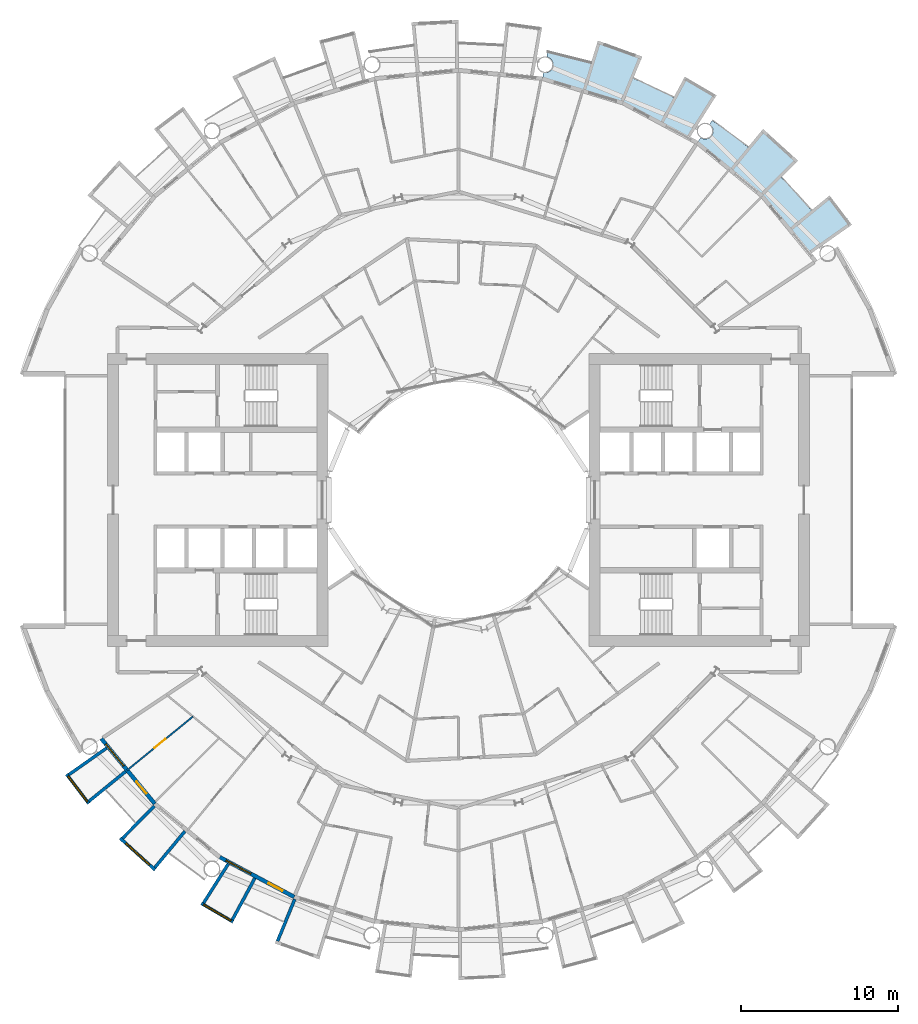
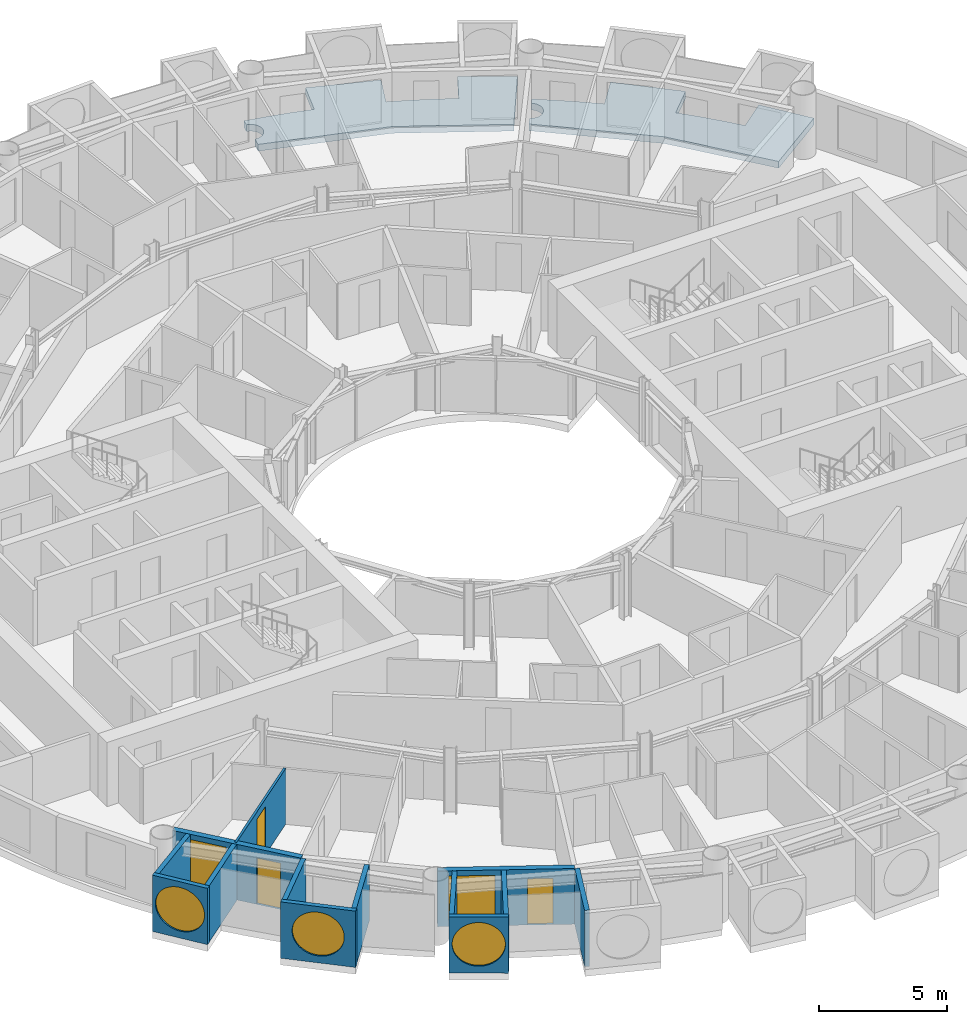
# One storey, part 12 of 25: 13 walls, 5 windows, 3 doors, 2 slabs, 8 openings.
"""IFC4 building model written with IfcOpenShell, lengths in metres."""

from ifc_helpers import new_model, si_unit, direction, frame, frame_2d, origin, place, context, subcontext, project, spatial, polyline, rectangle, circle, outline, extrude, material, layer, layer_set, type_object, element, fill, save


model = new_model("IFC4")

# Units and contexts
model_context = context("Model", 3, precision=1e-05, world=origin(), true_north=direction((0.0, 1.0)))
body_context = subcontext(model_context, "Body", "Model", "MODEL_VIEW")
ifc_project = project(units=[si_unit("LENGTHUNIT", "METRE"), si_unit("AREAUNIT", "SQUARE_METRE"), si_unit("VOLUMEUNIT", "CUBIC_METRE"), si_unit("PLANEANGLEUNIT", "RADIAN"), si_unit("MASSUNIT", "GRAM", prefix="KILO")], contexts=[model_context])

# Site, building, storey
site_placement = place(None, origin())
site = spatial("IfcSite", under=ifc_project, at=site_placement, CompositionType="ELEMENT")
building_placement = place(site_placement, origin())
building = spatial("IfcBuilding", under=site, at=building_placement, Name="Maasbend Ring Residences", CompositionType="ELEMENT")
storey_placement = place(building_placement, frame((0.0, 0.0, 94.10009765625)))
storey = spatial("IfcBuildingStorey", under=building, at=storey_placement, Name="L27", CompositionType="ELEMENT", Elevation=94.10009765625)

# Slabs
ifc_material_1 = material(Name="Concrete C40/50", Category="concrete")
ifc_layer_1 = layer(ifc_material_1, 0.199951171875)
ifc_layer_set_1 = layer_set([ifc_layer_1], Name="Concrete C40/50")
slab_type = type_object("IfcSlabType", Name="SL-LOGGIA", PredefinedType="FLOOR", material=ifc_layer_set_1)
slab_1_placement = place(storey_placement, frame((0.0, 0.0, -0.35009765625)))
element("IfcSlab", 1, at=slab_1_placement, inside=storey, type_object=slab_type, Name="Loggia floor 2", PredefinedType="FLOOR", context=body_context, shape_type="SweptSolid", body=[
    extrude(outline(polyline([(5.43896484375, 27.154052734375), (5.451904296875, 27.153076171875), (5.464111328125, 27.15087890625), (5.47705078125, 27.15087890625), (5.489013671875, 27.14990234375), (5.501953125, 27.14990234375), (5.513916015625, 27.14990234375), (5.52587890625, 27.15087890625), (5.5390625, 27.15087890625), (5.551025390625, 27.153076171875), (5.56396484375, 27.154052734375), (5.575927734375, 27.156005859375), (5.587890625, 27.157958984375), (5.60107421875, 27.159912109375), (5.613037109375, 27.162109375), (5.625, 27.1650390625), (5.636962890625, 27.1689453125), (5.64892578125, 27.172119140625), (5.660888671875, 27.176025390625), (5.673095703125, 27.179931640625), (5.68408203125, 27.18408203125), (5.696044921875, 27.18896484375), (5.70703125, 27.194091796875), (5.718994140625, 27.198974609375), (5.72998046875, 27.2041015625), (5.740966796875, 27.2099609375), (5.751953125, 27.216064453125), (5.762939453125, 27.221923828125), (5.77294921875, 27.22900390625), (5.783935546875, 27.236083984375), (5.7939453125, 27.242919921875), (5.803955078125, 27.25), (5.81396484375, 27.258056640625), (5.823974609375, 27.264892578125), (5.8330078125, 27.27294921875), (5.843017578125, 27.281982421875), (5.85205078125, 27.2900390625), (5.861083984375, 27.299072265625), (5.868896484375, 27.30810546875), (5.8779296875, 27.31689453125), (5.885986328125, 27.325927734375), (5.89404296875, 27.3359375), (5.902099609375, 27.345947265625), (5.909912109375, 27.35498046875), (5.9169921875, 27.365966796875), (5.924072265625, 27.3759765625), (5.930908203125, 27.385986328125), (5.93701171875, 27.39697265625), (5.944091796875, 27.407958984375), (5.949951171875, 27.4189453125), (5.955078125, 27.429931640625), (5.9609375, 27.44091796875), (5.966064453125, 27.451904296875), (5.970947265625, 27.464111328125), (5.97509765625, 27.47509765625), (5.97998046875, 27.487060546875), (5.98388671875, 27.4990234375), (5.988037109375, 27.510986328125), (5.990966796875, 27.52294921875), (5.993896484375, 27.534912109375), (5.9970703125, 27.547119140625), (6.0, 27.55908203125), (6.001953125, 27.571044921875), (6.00390625, 27.583984375), (6.006103515625, 27.595947265625), (6.007080078125, 27.60791015625), (6.008056640625, 27.62109375), (6.009033203125, 27.633056640625), (6.009033203125, 27.64599609375), (6.010009765625, 27.657958984375), (6.009033203125, 27.6708984375), (6.009033203125, 27.68310546875), (6.008056640625, 27.695068359375), (6.007080078125, 27.7080078125), (6.006103515625, 27.719970703125), (6.00390625, 27.73291015625), (6.001953125, 27.7451171875), (6.0, 27.757080078125), (5.9970703125, 27.76904296875), (5.993896484375, 27.781982421875), (5.990966796875, 27.7939453125), (5.988037109375, 27.805908203125), (5.98388671875, 27.81689453125), (5.97998046875, 27.8291015625), (5.97509765625, 27.841064453125), (5.970947265625, 27.85302734375), (5.966064453125, 27.864013671875), (5.9609375, 27.875), (5.955078125, 27.886962890625), (5.949951171875, 27.89794921875), (5.944091796875, 27.907958984375), (5.93701171875, 27.9189453125), (5.930908203125, 27.929931640625), (5.924072265625, 27.93994140625), (5.9169921875, 27.950927734375), (5.909912109375, 27.9609375), (5.902099609375, 27.970947265625), (5.89404296875, 27.97998046875), (5.885986328125, 27.989990234375), (5.8779296875, 27.9990234375), (5.868896484375, 28.008056640625), (5.861083984375, 28.01708984375), (5.85205078125, 28.02587890625), (5.843017578125, 28.034912109375), (5.8330078125, 28.04296875), (5.823974609375, 28.051025390625), (5.81396484375, 28.05908203125), (5.803955078125, 28.06591796875), (5.7939453125, 28.072998046875), (5.783935546875, 28.080078125), (5.77294921875, 28.0869140625), (5.762939453125, 28.093994140625), (5.751953125, 28.10009765625), (5.740966796875, 28.10595703125), (5.72998046875, 28.112060546875), (5.718994140625, 28.116943359375), (5.70703125, 28.123046875), (5.696044921875, 28.126953125), (5.68408203125, 28.132080078125), (5.673095703125, 28.135986328125), (5.660888671875, 28.139892578125), (5.64892578125, 28.14404296875), (5.636962890625, 28.14794921875), (5.625, 28.15087890625), (5.613037109375, 28.154052734375), (5.60107421875, 28.156005859375), (5.657958984375, 28.443115234375), (5.657958984375, 28.443115234375), (5.657958984375, 28.443115234375), (6.5849609375, 28.241943359375), (6.5849609375, 28.241943359375), (7.506103515625, 28.011962890625), (7.506103515625, 28.011962890625), (8.41796875, 27.7509765625), (8.41796875, 27.7509765625), (8.41796875, 27.7509765625), (8.41796875, 27.7509765625), (8.41796875, 27.7509765625), (8.41796875, 27.7509765625), (8.41796875, 27.7509765625), (8.41796875, 27.7509765625), (8.41796875, 27.7509765625), (8.41796875, 27.7509765625), (8.41796875, 27.751953125), (8.41796875, 27.751953125), (8.41796875, 27.751953125), (8.41796875, 27.751953125), (8.41796875, 27.751953125), (8.41796875, 27.751953125), (8.41796875, 27.751953125), (8.85400390625, 29.18701171875), (8.85400390625, 29.18701171875), (8.85400390625, 29.18701171875), (11.672119140625, 28.177978515625), (11.672119140625, 28.177978515625), (11.672119140625, 28.177978515625), (11.097900390625, 26.79296875), (11.097900390625, 26.79296875), (11.097900390625, 26.79296875), (11.097900390625, 26.79296875), (11.097900390625, 26.79296875), (11.097900390625, 26.79296875), (11.097900390625, 26.79296875), (11.097900390625, 26.79296875), (11.097900390625, 26.79296875), (11.097900390625, 26.79296875), (11.097900390625, 26.7919921875), (11.097900390625, 26.7919921875), (11.097900390625, 26.7919921875), (11.097900390625, 26.7919921875), (11.097900390625, 26.7919921875), (11.097900390625, 26.7919921875), (11.097900390625, 26.7919921875), (11.968994140625, 26.4150390625), (11.968994140625, 26.4150390625), (12.825927734375, 26.009033203125), (12.825927734375, 26.009033203125), (13.669921875, 25.575927734375), (13.669921875, 25.575927734375), (13.669921875, 25.575927734375), (13.669921875, 25.575927734375), (13.669921875, 25.575927734375), (13.669921875, 25.575927734375), (13.669921875, 25.575927734375), (13.669921875, 25.575927734375), (13.669921875, 25.575927734375), (13.669921875, 25.575927734375), (13.6708984375, 25.575927734375), (13.6708984375, 25.575927734375), (13.6708984375, 25.575927734375), (13.6708984375, 25.575927734375), (13.6708984375, 25.575927734375), (13.6708984375, 25.575927734375), (13.6708984375, 25.575927734375), (14.3779296875, 26.89892578125), (14.3779296875, 26.89892578125), (14.3779296875, 26.89892578125), (16.39404296875, 25.718994140625), (16.39404296875, 25.718994140625), (16.39404296875, 25.718994140625), (14.64599609375, 22.97705078125), (14.64599609375, 22.97705078125), (14.64599609375, 22.97705078125), (12.806884765625, 23.9609375), (10.447021484375, 25.221923828125), (10.447021484375, 25.221923828125), (10.447021484375, 25.221923828125), (7.886962890625, 25.9990234375), (5.325927734375, 26.77490234375), (5.325927734375, 26.77490234375), (5.325927734375, 26.77490234375), (5.402099609375, 27.159912109375), (5.4150390625, 27.157958984375), (5.427001953125, 27.156005859375), (5.43896484375, 27.154052734375)])), origin(), (0.0, 0.0, 1.0), 0.320068359375),
])
slab_2_placement = place(storey_placement, frame((0.0, 0.0, -0.35009765625)))
element("IfcSlab", 2, at=slab_2_placement, inside=storey, type_object=slab_type, Name="Loggia floor 4", PredefinedType="FLOOR", context=body_context, shape_type="SweptSolid", body=[
    extrude(outline(polyline([(15.406005859375, 23.011962890625), (15.4169921875, 23.0048828125), (15.427978515625, 22.9990234375), (15.43896484375, 22.993896484375), (15.449951171875, 22.988037109375), (15.4609375, 22.98291015625), (15.472900390625, 22.97802734375), (15.48388671875, 22.972900390625), (15.49609375, 22.968994140625), (15.508056640625, 22.965087890625), (15.52001953125, 22.9609375), (15.531982421875, 22.9580078125), (15.5439453125, 22.955078125), (15.555908203125, 22.951904296875), (15.568115234375, 22.948974609375), (15.580078125, 22.947021484375), (15.593017578125, 22.945068359375), (15.60498046875, 22.943115234375), (15.616943359375, 22.94189453125), (15.6298828125, 22.94091796875), (15.64208984375, 22.93994140625), (15.655029296875, 22.93994140625), (15.6669921875, 22.93896484375), (15.679931640625, 22.93994140625), (15.69189453125, 22.93994140625), (15.7041015625, 22.94091796875), (15.717041015625, 22.94189453125), (15.72900390625, 22.943115234375), (15.741943359375, 22.945068359375), (15.75390625, 22.947021484375), (15.76611328125, 22.948974609375), (15.778076171875, 22.951904296875), (15.791015625, 22.955078125), (15.802978515625, 22.9580078125), (15.81494140625, 22.9609375), (15.825927734375, 22.965087890625), (15.837890625, 22.968994140625), (15.85009765625, 22.972900390625), (15.862060546875, 22.97802734375), (15.873046875, 22.98291015625), (15.884033203125, 22.988037109375), (15.89599609375, 22.993896484375), (15.906982421875, 22.9990234375), (15.9169921875, 23.0048828125), (15.927978515625, 23.011962890625), (15.93896484375, 23.01806640625), (15.948974609375, 23.02490234375), (15.9599609375, 23.031982421875), (15.969970703125, 23.0390625), (15.97998046875, 23.047119140625), (15.989013671875, 23.054931640625), (15.9990234375, 23.06298828125), (16.008056640625, 23.071044921875), (16.01708984375, 23.0791015625), (16.02587890625, 23.087890625), (16.034912109375, 23.096923828125), (16.0439453125, 23.10595703125), (16.052001953125, 23.115966796875), (16.06005859375, 23.125), (16.068115234375, 23.135009765625), (16.074951171875, 23.14501953125), (16.08203125, 23.155029296875), (16.089111328125, 23.1650390625), (16.095947265625, 23.176025390625), (16.10302734375, 23.18603515625), (16.10888671875, 23.197021484375), (16.114990234375, 23.2080078125), (16.12109375, 23.218994140625), (16.1259765625, 23.22998046875), (16.132080078125, 23.241943359375), (16.135986328125, 23.2529296875), (16.14111328125, 23.264892578125), (16.14501953125, 23.27587890625), (16.14892578125, 23.2880859375), (16.153076171875, 23.300048828125), (16.156982421875, 23.31201171875), (16.159912109375, 23.323974609375), (16.1630859375, 23.3359375), (16.1650390625, 23.347900390625), (16.16796875, 23.361083984375), (16.169921875, 23.373046875), (16.1708984375, 23.385009765625), (16.173095703125, 23.39794921875), (16.174072265625, 23.409912109375), (16.174072265625, 23.422119140625), (16.175048828125, 23.43505859375), (16.175048828125, 23.447021484375), (16.175048828125, 23.4599609375), (16.174072265625, 23.471923828125), (16.174072265625, 23.485107421875), (16.173095703125, 23.4970703125), (16.1708984375, 23.510009765625), (16.169921875, 23.52197265625), (16.16796875, 23.533935546875), (16.1650390625, 23.547119140625), (16.1630859375, 23.55908203125), (16.159912109375, 23.571044921875), (16.156982421875, 23.5830078125), (16.153076171875, 23.594970703125), (16.14892578125, 23.60693359375), (16.14501953125, 23.618896484375), (16.14111328125, 23.6298828125), (16.135986328125, 23.64208984375), (16.132080078125, 23.653076171875), (16.1259765625, 23.6650390625), (16.12109375, 23.676025390625), (16.114990234375, 23.68701171875), (16.10888671875, 23.697998046875), (16.10302734375, 23.708984375), (16.095947265625, 23.718994140625), (16.089111328125, 23.72998046875), (16.08203125, 23.739990234375), (16.074951171875, 23.75), (16.068115234375, 23.760009765625), (16.06005859375, 23.77001953125), (16.052001953125, 23.779052734375), (16.0439453125, 23.7890625), (16.034912109375, 23.798095703125), (16.02587890625, 23.806884765625), (16.01708984375, 23.81494140625), (16.008056640625, 23.823974609375), (15.9990234375, 23.83203125), (15.989013671875, 23.840087890625), (15.97998046875, 23.847900390625), (15.969970703125, 23.85498046875), (15.9599609375, 23.863037109375), (15.948974609375, 23.8701171875), (15.948974609375, 23.8701171875), (16.112060546875, 24.113037109375), (16.112060546875, 24.113037109375), (16.112060546875, 24.113037109375), (16.89208984375, 23.572998046875), (16.89208984375, 23.572998046875), (17.654052734375, 23.007080078125), (17.654052734375, 23.007080078125), (18.39697265625, 22.41796875), (18.39697265625, 22.41796875), (18.39697265625, 22.41796875), (18.39697265625, 22.41796875), (18.39697265625, 22.41796875), (18.39697265625, 22.41796875), (18.39697265625, 22.41796875), (18.39697265625, 22.41796875), (18.39697265625, 22.41796875), (18.39697265625, 22.41796875), (18.39697265625, 22.41796875), (18.39794921875, 22.41796875), (18.39794921875, 22.41796875), (18.39794921875, 22.41796875), (18.39794921875, 22.41796875), (18.39794921875, 22.41796875), (18.39794921875, 22.41796875), (19.34912109375, 23.576904296875), (19.34912109375, 23.576904296875), (19.34912109375, 23.576904296875), (21.56689453125, 21.56689453125), (21.56689453125, 21.56689453125), (21.56689453125, 21.56689453125), (20.506103515625, 20.506103515625), (20.506103515625, 20.506103515625), (20.506103515625, 20.506103515625), (20.506103515625, 20.506103515625), (20.506103515625, 20.506103515625), (20.506103515625, 20.506103515625), (20.506103515625, 20.506103515625), (20.506103515625, 20.506103515625), (20.506103515625, 20.506103515625), (20.506103515625, 20.506103515625), (20.506103515625, 20.506103515625), (20.506103515625, 20.506103515625), (20.506103515625, 20.506103515625), (20.506103515625, 20.506103515625), (20.506103515625, 20.506103515625), (20.506103515625, 20.506103515625), (20.506103515625, 20.506103515625), (21.166015625, 19.823974609375), (21.166015625, 19.823974609375), (21.802978515625, 19.12109375), (21.802978515625, 19.12109375), (22.4169921875, 18.39794921875), (22.4169921875, 18.39794921875), (22.4169921875, 18.39794921875), (22.4169921875, 18.39794921875), (22.4169921875, 18.39794921875), (22.4169921875, 18.39794921875), (22.4169921875, 18.39794921875), (22.4169921875, 18.39794921875), (22.4169921875, 18.39794921875), (22.4169921875, 18.39794921875), (22.4169921875, 18.39794921875), (22.4169921875, 18.39794921875), (22.41796875, 18.39794921875), (22.41796875, 18.39794921875), (22.41796875, 18.39794921875), (22.41796875, 18.39794921875), (22.41796875, 18.39794921875), (23.576904296875, 19.34912109375), (23.576904296875, 19.34912109375), (23.576904296875, 19.34912109375), (24.989013671875, 17.488037109375), (24.989013671875, 17.488037109375), (24.989013671875, 17.488037109375), (22.324951171875, 15.623046875), (22.324951171875, 15.623046875), (22.324951171875, 15.623046875), (21.001953125, 17.236083984375), (19.303955078125, 19.303955078125), (19.303955078125, 19.303955078125), (19.303955078125, 19.303955078125), (17.236083984375, 21.001953125), (15.1669921875, 22.698974609375), (15.1669921875, 22.698974609375), (15.1669921875, 22.698974609375), (15.385009765625, 23.02490234375), (15.385009765625, 23.02490234375), (15.39501953125, 23.01806640625), (15.406005859375, 23.011962890625)])), origin(), (0.0, 0.0, 1.0), 0.320068359375),
])

# Wall, opening, window
ifc_material_2 = material(Name="Pale anodised aluminium panel", Category="aluminium")
ifc_layer_2 = layer(ifc_material_2, 0.199951171875)
ifc_layer_set_2 = layer_set([ifc_layer_2], Name="EW-BOX")
wall_type_1 = type_object("IfcWallType", Name="EW-BOX", PredefinedType="SOLIDWALL", material=ifc_layer_set_2)
wall_1_placement = place(storey_placement, frame((-24.908935546875, -17.427001953125, -0.030029296875), z_axis=(0.0, 0.0, 1.0), x_axis=(0.60418752353, -0.796842165306, 0.0)))
wall_1 = element("IfcWall", 3, at=wall_1_placement, inside=storey, type_object=wall_type_1, Name="Box front S01", PredefinedType="SOLIDWALL", context=body_context, shape_type="SweptSolid", body=[
    extrude(rectangle(XDim=2.3369140625, YDim=0.199951171875, at=frame_2d((1.16845703125, 0.0))), origin(), (0.0, 0.0, 1.0), 2.679931640625),
])
opening_1_placement = place(wall_1_placement, frame((0.128173828125, 0.0, 0.330078125)))
opening_1 = element("IfcOpeningElement", 4, at=opening_1_placement, cuts=wall_1, Name="Opening W-RD", PredefinedType="OPENING", context=body_context, shape_type="SweptSolid", body=[
    extrude(circle(Radius=1.0400390625, at=frame_2d((1.0400390625, 1.0400390625))), frame((0.0, 0.10986328125, 0.0), z_axis=(0.0, -1.0, 0.0), x_axis=(1.0, 0.0, 0.0)), (0.0, 0.0, 1.0), 0.219970703125),
])
ifc_material_3 = material(Name="Aluminium and clear glass", Category="aluminium")
window_type_1 = type_object("IfcWindowType", Name="W-RD", PartitioningType="SINGLE_PANEL", PredefinedType="WINDOW", material=ifc_material_3)
window_1_placement = place(opening_1_placement, origin())
window_1 = element("IfcWindow", 5, at=window_1_placement, inside=storey, type_object=window_type_1, Name="Round window S01", OverallHeight=2.080078125, OverallWidth=2.080078125, PartitioningType="SINGLE_PANEL", PredefinedType="WINDOW", context=body_context, shape_type="SweptSolid", body=[
    extrude(circle(Radius=1.0400390625, at=frame_2d((1.0400390625, 1.0400390625))), frame((0.0, 0.030029296875, 0.0), z_axis=(0.0, -1.0, 0.0), x_axis=(1.0, 0.0, 0.0)), (0.0, 0.0, 1.0), 0.06005859375),
])
fill(opening_1, window_1)

# Walls
wall_2_placement = place(storey_placement, frame((-22.3701171875, -15.764892578125, -0.030029296875), z_axis=(0.0, 0.0, 1.0), x_axis=(-0.817256123454, -0.576274612209, 0.0)))
element("IfcWall", 6, at=wall_2_placement, inside=storey, type_object=wall_type_1, Name="Box side wall S01 left", PredefinedType="SOLIDWALL", context=body_context, shape_type="SweptSolid", body=[
    extrude(rectangle(XDim=2.932861328125, YDim=0.199951171875, at=frame_2d((1.46630859375, 0.0))), origin(), (0.0, 0.0, 1.0), 2.679931640625),
])
wall_3_placement = place(storey_placement, frame((-21.155029296875, -17.24609375, -0.030029296875), z_axis=(0.0, 0.0, 1.0), x_axis=(-0.775179004516, -0.631741648902, 0.0)))
element("IfcWall", 7, at=wall_3_placement, inside=storey, type_object=wall_type_1, Name="Box side wall S01 right", PredefinedType="SOLIDWALL", context=body_context, shape_type="SweptSolid", body=[
    extrude(rectangle(XDim=3.005859375, YDim=0.199951171875, at=frame_2d((1.5029296875, 0.0))), origin(), (0.0, 0.0, 1.0), 2.679931640625),
])

# Wall, opening, window
wall_4_placement = place(storey_placement, frame((-21.5, -21.492919921875, -0.030029296875), z_axis=(0.0, 0.0, 1.0), x_axis=(0.740998365753, -0.671506829416, 0.0)))
wall_4 = element("IfcWall", 8, at=wall_4_placement, inside=storey, type_object=wall_type_1, Name="Box front S03", PredefinedType="SOLIDWALL", context=body_context, shape_type="SweptSolid", body=[
    extrude(rectangle(XDim=2.9931640625, YDim=0.199951171875, at=frame_2d((1.49658203125, 0.0))), origin(), (0.0, 0.0, 1.0), 2.679931640625),
])
opening_2_placement = place(wall_4_placement, frame((0.45654296875, 0.0, 0.330078125)))
opening_2 = element("IfcOpeningElement", 9, at=opening_2_placement, cuts=wall_4, Name="Opening W-RD", PredefinedType="OPENING", context=body_context, shape_type="SweptSolid", body=[
    extrude(circle(Radius=1.0400390625, at=frame_2d((1.0400390625, 1.0400390625))), frame((0.0, 0.10986328125, 0.0), z_axis=(0.0, -1.0, 0.0), x_axis=(1.0, 0.0, 0.0)), (0.0, 0.0, 1.0), 0.219970703125),
])
window_2_placement = place(opening_2_placement, origin())
window_2 = element("IfcWindow", 10, at=window_2_placement, inside=storey, type_object=window_type_1, Name="Round window S03", OverallHeight=2.080078125, OverallWidth=2.080078125, PartitioningType="SINGLE_PANEL", PredefinedType="WINDOW", context=body_context, shape_type="SweptSolid", body=[
    extrude(circle(Radius=1.0400390625, at=frame_2d((1.0400390625, 1.0400390625))), frame((0.0, 0.030029296875, 0.0), z_axis=(0.0, -1.0, 0.0), x_axis=(1.0, 0.0, 0.0)), (0.0, 0.0, 1.0), 0.06005859375),
])
fill(opening_2, window_2)

# Walls
wall_5_placement = place(storey_placement, frame((-19.322998046875, -19.449951171875, -0.030029296875), z_axis=(0.0, 0.0, 1.0), x_axis=(-0.704476739375, -0.709727076896, 0.0)))
element("IfcWall", 11, at=wall_5_placement, inside=storey, type_object=wall_type_1, Name="Box side wall S03 left", PredefinedType="SOLIDWALL", context=body_context, shape_type="SweptSolid", body=[
    extrude(rectangle(XDim=2.883056640625, YDim=0.199951171875, at=frame_2d((1.44140625, 0.0))), origin(), (0.0, 0.0, 1.0), 2.679931640625),
])
wall_6_placement = place(storey_placement, frame((-17.384033203125, -21.041015625, -0.030029296875), z_axis=(0.0, 0.0, 1.0), x_axis=(-0.63709551667, -0.770784861449, 0.0)))
element("IfcWall", 12, at=wall_6_placement, inside=storey, type_object=wall_type_1, Name="Box side wall S03 right", PredefinedType="SOLIDWALL", context=body_context, shape_type="SweptSolid", body=[
    extrude(rectangle(XDim=3.005859375, YDim=0.199951171875, at=frame_2d((1.5029296875, 0.0))), origin(), (0.0, 0.0, 1.0), 2.679931640625),
])

# Wall, opening, window
wall_7_placement = place(storey_placement, frame((-16.343994140625, -25.633056640625, -0.030029296875), z_axis=(0.0, 0.0, 1.0), x_axis=(0.863346521872, -0.504611517081, 0.0)))
wall_7 = element("IfcWall", 13, at=wall_7_placement, inside=storey, type_object=wall_type_1, Name="Box front S05", PredefinedType="SOLIDWALL", context=body_context, shape_type="SweptSolid", body=[
    extrude(rectangle(XDim=2.33642578125, YDim=0.199951171875, at=frame_2d((1.168212890625, 0.0))), origin(), (0.0, 0.0, 1.0), 2.679931640625),
])
opening_3_placement = place(wall_7_placement, frame((0.128173828125, 0.0, 0.330078125)))
opening_3 = element("IfcOpeningElement", 14, at=opening_3_placement, cuts=wall_7, Name="Opening W-RD", PredefinedType="OPENING", context=body_context, shape_type="SweptSolid", body=[
    extrude(circle(Radius=1.0400390625, at=frame_2d((1.0400390625, 1.0400390625))), frame((0.0, 0.10986328125, 0.0), z_axis=(0.0, -1.0, 0.0), x_axis=(1.0, 0.0, 0.0)), (0.0, 0.0, 1.0), 0.219970703125),
])
window_3_placement = place(opening_3_placement, origin())
window_3 = element("IfcWindow", 15, at=window_3_placement, inside=storey, type_object=window_type_1, Name="Round window S05", OverallHeight=2.080078125, OverallWidth=2.080078125, PartitioningType="SINGLE_PANEL", PredefinedType="WINDOW", context=body_context, shape_type="SweptSolid", body=[
    extrude(circle(Radius=1.0400390625, at=frame_2d((1.0400390625, 1.0400390625))), frame((0.0, 0.030029296875, 0.0), z_axis=(0.0, -1.0, 0.0), x_axis=(1.0, 0.0, 0.0)), (0.0, 0.0, 1.0), 0.06005859375),
])
fill(opening_3, window_3)

# Walls
wall_8_placement = place(storey_placement, frame((-14.635009765625, -23.1259765625, -0.030029296875), z_axis=(0.0, 0.0, 1.0), x_axis=(-0.534437802731, -0.845207805816, 0.0)))
element("IfcWall", 16, at=wall_8_placement, inside=storey, type_object=wall_type_1, Name="Box side wall S05 left", PredefinedType="SOLIDWALL", context=body_context, shape_type="SweptSolid", body=[
    extrude(rectangle(XDim=2.931884765625, YDim=0.199951171875, at=frame_2d((1.4658203125, 0.0))), origin(), (0.0, 0.0, 1.0), 2.679931640625),
])
wall_9_placement = place(storey_placement, frame((-12.945068359375, -24.029052734375, -0.030029296875), z_axis=(0.0, 0.0, 1.0), x_axis=(-0.474424310775, -0.88029629861, 0.0)))
element("IfcWall", 17, at=wall_9_placement, inside=storey, type_object=wall_type_1, Name="Box side wall S05 right", PredefinedType="SOLIDWALL", context=body_context, shape_type="SweptSolid", body=[
    extrude(rectangle(XDim=3.005859375, YDim=0.199951171875, at=frame_2d((1.5029296875, 0.0))), origin(), (0.0, 0.0, 1.0), 2.679931640625),
])
wall_10_placement = place(storey_placement, frame((-10.408935546875, -25.364013671875, -0.030029296875), z_axis=(0.0, 0.0, 1.0), x_axis=(-0.379509886562, -0.925187681501, 0.0)))
element("IfcWall", 18, at=wall_10_placement, inside=storey, type_object=wall_type_1, Name="Box side wall S07 left", PredefinedType="SOLIDWALL", context=body_context, shape_type="SweptSolid", body=[
    extrude(rectangle(XDim=2.882568359375, YDim=0.199951171875, at=frame_2d((1.44140625, 0.0))), origin(), (0.0, 0.0, 1.0), 2.679931640625),
])

# Wall, openings, door, window
ifc_material_4 = material(Name="Aluminium clad insulated panel", Category="aluminium")
ifc_layer_3 = layer(ifc_material_4, 0.25)
ifc_layer_set_3 = layer_set([ifc_layer_3], Name="EW-GL")
wall_type_2 = type_object("IfcWallType", Name="EW-GL", PredefinedType="SOLIDWALL", material=ifc_layer_set_3)
wall_11_placement = place(storey_placement, frame((-22.698974609375, -15.1669921875, 0.0), z_axis=(0.0, 0.0, 1.0), x_axis=(0.634382322723, -0.773019449054, 0.0)))
wall_11 = element("IfcWall", 19, at=wall_11_placement, inside=storey, type_object=wall_type_2, Name="External wall S01", PredefinedType="SOLIDWALL", context=body_context, shape_type="SweptSolid", body=[
    extrude(rectangle(XDim=5.351806640625, YDim=0.25, at=frame_2d((2.67578125, 0.0))), origin(), (0.0, 0.0, 1.0), 2.64990234375),
])
opening_4_placement = place(wall_11_placement, frame((0.441162109375, 0.0, 0.300048828125)))
opening_4 = element("IfcOpeningElement", 20, at=opening_4_placement, cuts=wall_11, Name="Opening W-BX", PredefinedType="OPENING", context=body_context, shape_type="SweptSolid", body=[
    extrude(rectangle(XDim=1.800048828125, YDim=2.10009765625, at=frame_2d((0.89990234375, 1.050048828125))), frame((0.0, 0.135009765625, 0.0), z_axis=(0.0, -1.0, 0.0), x_axis=(1.0, 0.0, 0.0)), (0.0, 0.0, 1.0), 0.27001953125),
])
opening_5_placement = place(wall_11_placement, frame((3.510498046875, 0.0, 0.0)))
opening_5 = element("IfcOpeningElement", 21, at=opening_5_placement, cuts=wall_11, Name="Opening D-LG", PredefinedType="OPENING", context=body_context, shape_type="SweptSolid", body=[
    extrude(rectangle(XDim=1.0, YDim=2.199951171875, at=frame_2d((0.5, 1.10009765625))), frame((0.0, 0.135009765625, 0.0), z_axis=(0.0, -1.0, 0.0), x_axis=(1.0, 0.0, 0.0)), (0.0, 0.0, 1.0), 0.27001953125),
])
ifc_material_5 = material(Name="Aluminium and clear glass", Category="aluminium")
door_type_1 = type_object("IfcDoorType", Name="D-LG", OperationType="SINGLE_SWING_LEFT", PredefinedType="DOOR", material=ifc_material_5)
door_1_placement = place(opening_5_placement, origin())
door_1 = element("IfcDoor", 22, at=door_1_placement, inside=storey, type_object=door_type_1, Name="Loggia door S02", OperationType="SINGLE_SWING_LEFT", OverallHeight=2.199951171875, OverallWidth=1.0, PredefinedType="DOOR", context=body_context, shape_type="SweptSolid", body=[
    extrude(rectangle(XDim=1.0, YDim=2.199951171875, at=frame_2d((0.5, 1.10009765625))), frame((0.0, 0.02490234375, 0.0), z_axis=(0.0, -1.0, 0.0), x_axis=(1.0, 0.0, 0.0)), (0.0, 0.0, 1.0), 0.050048828125),
])
fill(opening_5, door_1)
ifc_material_6 = material(Name="Aluminium and clear glass", Category="aluminium")
window_type_2 = type_object("IfcWindowType", Name="W-BX", PartitioningType="DOUBLE_PANEL_VERTICAL", PredefinedType="WINDOW", material=ifc_material_6)
window_4_placement = place(opening_4_placement, origin())
window_4 = element("IfcWindow", 23, at=window_4_placement, inside=storey, type_object=window_type_2, Name="Window S01 room to box", OverallHeight=2.10009765625, OverallWidth=1.800048828125, PartitioningType="SINGLE_PANEL", PredefinedType="WINDOW", context=body_context, shape_type="SweptSolid", body=[
    extrude(rectangle(XDim=1.800048828125, YDim=2.10009765625, at=frame_2d((0.89990234375, 1.050048828125))), frame((0.0, 0.030029296875, 0.0), z_axis=(0.0, -1.0, 0.0), x_axis=(1.0, 0.0, 0.0)), (0.0, 0.0, 1.0), 0.06005859375),
])
fill(opening_4, window_4)

wall_12_placement = place(storey_placement, frame((-15.1669921875, -22.698974609375, 0.0), z_axis=(0.0, 0.0, 1.0), x_axis=(0.881915646801, -0.471407246368, 0.0)))
wall_12 = element("IfcWall", 24, at=wall_12_placement, inside=storey, type_object=wall_type_2, Name="External wall S03", PredefinedType="SOLIDWALL", context=body_context, shape_type="SweptSolid", body=[
    extrude(rectangle(XDim=5.35205078125, YDim=0.25, at=frame_2d((2.676025390625, 0.0))), origin(), (0.0, 0.0, 1.0), 2.64990234375),
])
opening_6_placement = place(wall_12_placement, frame((0.441162109375, 0.0, 0.300048828125)))
opening_6 = element("IfcOpeningElement", 25, at=opening_6_placement, cuts=wall_12, Name="Opening W-BX", PredefinedType="OPENING", context=body_context, shape_type="SweptSolid", body=[
    extrude(rectangle(XDim=1.800048828125, YDim=2.10009765625, at=frame_2d((0.89990234375, 1.050048828125))), frame((0.0, 0.135009765625, 0.0), z_axis=(0.0, -1.0, 0.0), x_axis=(1.0, 0.0, 0.0)), (0.0, 0.0, 1.0), 0.27001953125),
])
opening_7_placement = place(wall_12_placement, frame((3.510498046875, 0.0, 0.0)))
opening_7 = element("IfcOpeningElement", 26, at=opening_7_placement, cuts=wall_12, Name="Opening D-LG", PredefinedType="OPENING", context=body_context, shape_type="SweptSolid", body=[
    extrude(rectangle(XDim=1.0, YDim=2.199951171875, at=frame_2d((0.5, 1.10009765625))), frame((0.0, 0.135009765625, 0.0), z_axis=(0.0, -1.0, 0.0), x_axis=(1.0, 0.0, 0.0)), (0.0, 0.0, 1.0), 0.27001953125),
])
door_2_placement = place(opening_7_placement, origin())
door_2 = element("IfcDoor", 27, at=door_2_placement, inside=storey, type_object=door_type_1, Name="Loggia door S06", OperationType="SINGLE_SWING_LEFT", OverallHeight=2.199951171875, OverallWidth=1.0, PredefinedType="DOOR", context=body_context, shape_type="SweptSolid", body=[
    extrude(rectangle(XDim=1.0, YDim=2.199951171875, at=frame_2d((0.5, 1.10009765625))), frame((0.0, 0.02490234375, 0.0), z_axis=(0.0, -1.0, 0.0), x_axis=(1.0, 0.0, 0.0)), (0.0, 0.0, 1.0), 0.050048828125),
])
fill(opening_7, door_2)
window_5_placement = place(opening_6_placement, origin())
window_5 = element("IfcWindow", 28, at=window_5_placement, inside=storey, type_object=window_type_2, Name="Window S05 room to box", OverallHeight=2.10009765625, OverallWidth=1.800048828125, PartitioningType="SINGLE_PANEL", PredefinedType="WINDOW", context=body_context, shape_type="SweptSolid", body=[
    extrude(rectangle(XDim=1.800048828125, YDim=2.10009765625, at=frame_2d((0.89990234375, 1.050048828125))), frame((0.0, 0.030029296875, 0.0), z_axis=(0.0, -1.0, 0.0), x_axis=(1.0, 0.0, 0.0)), (0.0, 0.0, 1.0), 0.06005859375),
])
fill(opening_6, window_5)

# Wall, opening, door
ifc_material_7 = material(Name="Gypsum board on steel studs", Category="steel")
ifc_layer_4 = layer(ifc_material_7, 0.10009765625)
ifc_layer_set_4 = layer_set([ifc_layer_4], Name="PARTITION 100 GYPSUM")
wall_type_3 = type_object("IfcWallType", Name="PARTITION 100 GYPSUM", PredefinedType="PARTITIONING", material=ifc_layer_set_4)
wall_13_placement = place(storey_placement, frame((-21.06103515625, -17.173095703125, 0.0), z_axis=(0.0, 0.0, 1.0), x_axis=(0.774926754572, 0.632051046236, 0.0)))
wall_13 = element("IfcWall", 29, at=wall_13_placement, inside=storey, type_object=wall_type_3, Name="U-L27-w030", PredefinedType="PARTITIONING", context=body_context, shape_type="SweptSolid", body=[
    extrude(rectangle(XDim=5.403076171875, YDim=0.10009765625, at=frame_2d((2.70166015625, 0.0))), origin(), (0.0, 0.0, 1.0), 2.64990234375),
])
opening_8_placement = place(wall_13_placement, frame((2.251953125, 0.0, 0.0)))
opening_8 = element("IfcOpeningElement", 30, at=opening_8_placement, cuts=wall_13, Name="Opening D-2737", PredefinedType="OPENING", context=body_context, shape_type="SweptSolid", body=[
    extrude(rectangle(XDim=0.89990234375, YDim=2.300048828125, at=frame_2d((0.449951171875, 1.14990234375))), frame((0.0, 0.06005859375, 0.0), z_axis=(0.0, -1.0, 0.0), x_axis=(1.0, 0.0, 0.0)), (0.0, 0.0, 1.0), 0.1201171875),
])
ifc_material_8 = material(Name="Timber, painted", Category="wood")
door_type_2 = type_object("IfcDoorType", Name="INTERNAL DOOR 900 X 2300", OperationType="NOTDEFINED", PredefinedType="DOOR", material=ifc_material_8)
door_3_placement = place(opening_8_placement, origin())
door_3 = element("IfcDoor", 31, at=door_3_placement, inside=storey, type_object=door_type_2, Name="D-2737", OperationType="SINGLE_SWING_RIGHT", OverallHeight=2.300048828125, OverallWidth=0.89990234375, PredefinedType="DOOR", context=body_context, shape_type="SweptSolid", body=[
    extrude(rectangle(XDim=0.89990234375, YDim=2.300048828125, at=frame_2d((0.449951171875, 1.14990234375))), frame((0.0, 0.02490234375, 0.0), z_axis=(0.0, -1.0, 0.0), x_axis=(1.0, 0.0, 0.0)), (0.0, 0.0, 1.0), 0.050048828125),
])
fill(opening_8, door_3)

save(model, "model.ifc")
